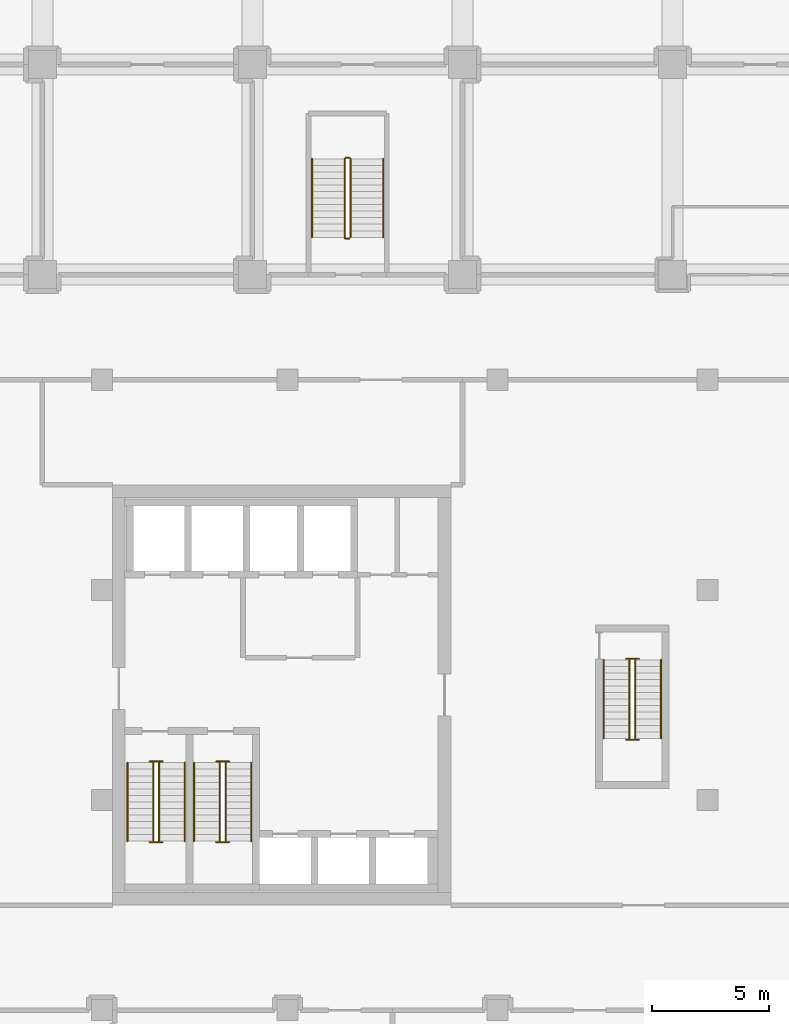
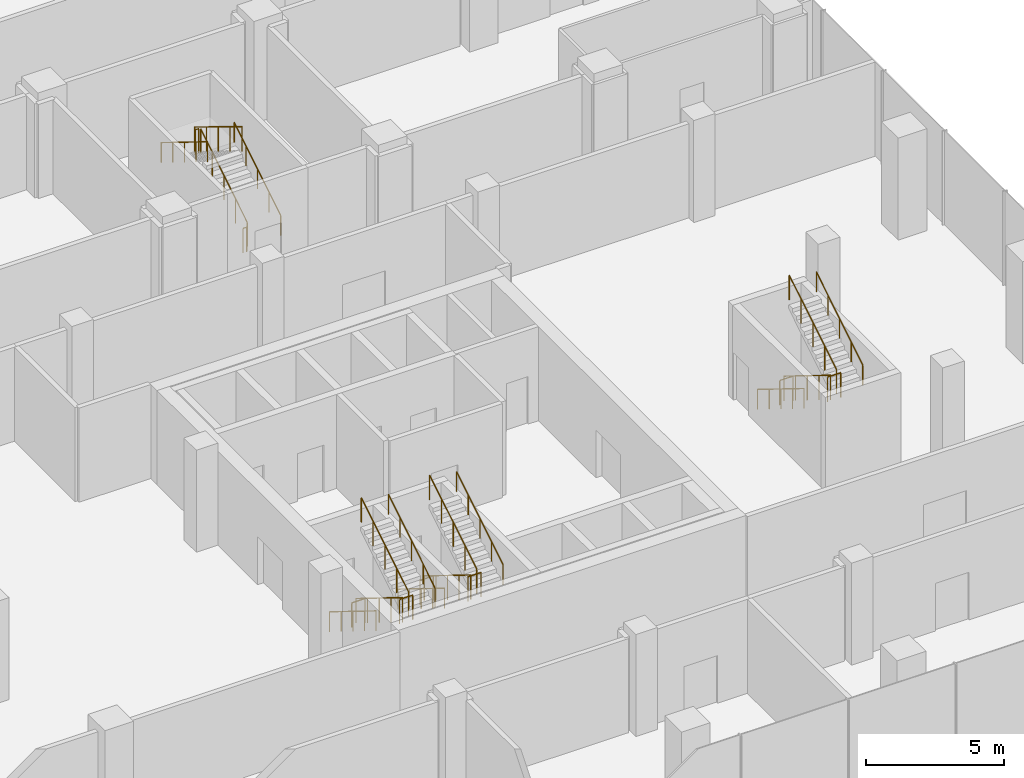
# One storey, part 42 of 43: 24 railings.
"""IFC4 building model written with IfcOpenShell, lengths in metres."""

from ifc_helpers import new_model, si_unit, direction, frame, origin, origin_2d, place, context, subcontext, project, spatial, circle, extrude, material, type_object, element, save


model = new_model("IFC4")

# Units and contexts
model_context = context("Model", 3, precision=1e-05, world=origin(), true_north=direction((0.0, 1.0)))
body_context = subcontext(model_context, "Body", "Model", "MODEL_VIEW")
ifc_project = project(units=[si_unit("LENGTHUNIT", "METRE"), si_unit("AREAUNIT", "SQUARE_METRE"), si_unit("VOLUMEUNIT", "CUBIC_METRE"), si_unit("PLANEANGLEUNIT", "RADIAN"), si_unit("MASSUNIT", "GRAM", prefix="KILO")], contexts=[model_context])

# Site, building, storey
site_placement = place(None, origin())
site = spatial("IfcSite", under=ifc_project, at=site_placement, CompositionType="ELEMENT")
building_placement = place(site_placement, origin())
building = spatial("IfcBuilding", under=site, at=building_placement, Name="Plateau Cross Towers", CompositionType="ELEMENT")
storey_placement = place(building_placement, frame((0.0, 0.0, 17.300048828125)))
storey = spatial("IfcBuildingStorey", under=building, at=storey_placement, Name="L03", CompositionType="ELEMENT", Elevation=17.300048828125)

# Railings
ifc_material_1 = material(Name="Stainless steel and toughened glass", Category="steel")
railing_type_1 = type_object("IfcRailingType", Name="RL-GUARD-1100", PredefinedType="GUARDRAIL", material=ifc_material_1)
railing_1_placement = place(storey_placement, frame((76.75, 6.10009765625, 0.173095703125)))
element("IfcRailing", 1, at=railing_1_placement, inside=storey, type_object=railing_type_1, Name="L03 SB-1 stair guard 1", PredefinedType="GUARDRAIL", context=body_context, shape_type="SweptSolid", body=[
    extrude(circle(Radius=0.02392578125, at=origin_2d()), frame((0.0, 0.0, 1.076171875), z_axis=(0.0, -0.850623216509, 0.525775754039), x_axis=(1.0, 0.0, 0.0)), (0.0, 0.0, 1.0), 3.9501953125),
    extrude(circle(Radius=0.02099609375, at=origin_2d()), origin(), (0.0, 0.0, 1.0), 1.052001953125),
    extrude(circle(Radius=0.02099609375, at=origin_2d()), frame((0.0, -0.840087890625, 0.519287109375)), (0.0, 0.0, 1.0), 1.052001953125),
    extrude(circle(Radius=0.02099609375, at=origin_2d()), frame((0.0, -1.68017578125, 1.03857421875)), (0.0, 0.0, 1.0), 1.052001953125),
    extrude(circle(Radius=0.02099609375, at=origin_2d()), frame((0.0, -2.52001953125, 1.5576171875)), (0.0, 0.0, 1.0), 1.052001953125),
    extrude(circle(Radius=0.02099609375, at=origin_2d()), frame((0.0, -3.360107421875, 2.076904296875)), (0.0, 0.0, 1.0), 1.052001953125),
])
railing_2_placement = place(storey_placement, frame((76.60009765625, 2.68994140625, 2.25)))
element("IfcRailing", 2, at=railing_2_placement, inside=storey, type_object=railing_type_1, Name="L03 SB-1 stair guard 2", PredefinedType="GUARDRAIL", context=body_context, shape_type="SweptSolid", body=[
    extrude(circle(Radius=0.02392578125, at=origin_2d()), frame((0.0, 0.0, 1.076171875), z_axis=(1.0, 0.0, 0.0), x_axis=(0.0, 1.0, 0.0)), (0.0, 0.0, 1.0), 0.5498046875),
    extrude(circle(Radius=0.02099609375, at=origin_2d()), origin(), (0.0, 0.0, 1.0), 1.052001953125),
    extrude(circle(Radius=0.02099609375, at=origin_2d()), frame((0.5498046875, 0.0, 0.0)), (0.0, 0.0, 1.0), 1.052001953125),
])
railing_3_placement = place(storey_placement, frame((77.0, 2.739990234375, 2.423095703125)))
element("IfcRailing", 3, at=railing_3_placement, inside=storey, type_object=railing_type_1, Name="L03 SB-1 stair guard 3", PredefinedType="GUARDRAIL", context=body_context, shape_type="SweptSolid", body=[
    extrude(circle(Radius=0.02392578125, at=origin_2d()), frame((0.0, 0.0, 1.076171875), z_axis=(0.0, 0.854053285388, 0.520185530092), x_axis=(-1.0, 0.0, 0.0)), (0.0, 0.0, 1.0), 3.99267578125),
    extrude(circle(Radius=0.02099609375, at=origin_2d()), origin(), (0.0, 0.0, 1.0), 1.052001953125),
    extrude(circle(Radius=0.02099609375, at=origin_2d()), frame((0.0, 0.8525390625, 0.519287109375)), (0.0, 0.0, 1.0), 1.052001953125),
    extrude(circle(Radius=0.02099609375, at=origin_2d()), frame((0.0, 1.705078125, 1.03857421875)), (0.0, 0.0, 1.0), 1.052001953125),
    extrude(circle(Radius=0.02099609375, at=origin_2d()), frame((0.0, 2.557373046875, 1.5576171875)), (0.0, 0.0, 1.0), 1.052001953125),
    extrude(circle(Radius=0.02099609375, at=origin_2d()), frame((0.0, 3.409912109375, 2.076904296875)), (0.0, 0.0, 1.0), 1.052001953125),
])
railing_4_placement = place(storey_placement, frame((76.60009765625, 6.14990234375, 0.0)))
element("IfcRailing", 4, at=railing_4_placement, inside=storey, type_object=railing_type_1, Name="L03 SB-1 stair guard 4", PredefinedType="GUARDRAIL", context=body_context, shape_type="SweptSolid", body=[
    extrude(circle(Radius=0.02392578125, at=origin_2d()), frame((0.0, 0.0, 1.076171875), z_axis=(1.0, 0.0, 0.0), x_axis=(0.0, 1.0, 0.0)), (0.0, 0.0, 1.0), 0.5498046875),
    extrude(circle(Radius=0.02099609375, at=origin_2d()), origin(), (0.0, 0.0, 1.0), 1.052001953125),
    extrude(circle(Radius=0.02099609375, at=origin_2d()), frame((0.5498046875, 0.0, 0.0)), (0.0, 0.0, 1.0), 1.052001953125),
])
railing_5_placement = place(storey_placement, frame((79.60009765625, 6.10009765625, 0.173095703125)))
element("IfcRailing", 5, at=railing_5_placement, inside=storey, type_object=railing_type_1, Name="L03 SB-2 stair guard 1", PredefinedType="GUARDRAIL", context=body_context, shape_type="SweptSolid", body=[
    extrude(circle(Radius=0.02392578125, at=origin_2d()), frame((0.0, 0.0, 1.076171875), z_axis=(0.0, -0.850623216509, 0.525775754039), x_axis=(1.0, 0.0, 0.0)), (0.0, 0.0, 1.0), 3.9501953125),
    extrude(circle(Radius=0.02099609375, at=origin_2d()), origin(), (0.0, 0.0, 1.0), 1.052001953125),
    extrude(circle(Radius=0.02099609375, at=origin_2d()), frame((0.0, -0.840087890625, 0.519287109375)), (0.0, 0.0, 1.0), 1.052001953125),
    extrude(circle(Radius=0.02099609375, at=origin_2d()), frame((0.0, -1.68017578125, 1.03857421875)), (0.0, 0.0, 1.0), 1.052001953125),
    extrude(circle(Radius=0.02099609375, at=origin_2d()), frame((0.0, -2.52001953125, 1.5576171875)), (0.0, 0.0, 1.0), 1.052001953125),
    extrude(circle(Radius=0.02099609375, at=origin_2d()), frame((0.0, -3.360107421875, 2.076904296875)), (0.0, 0.0, 1.0), 1.052001953125),
])
railing_6_placement = place(storey_placement, frame((79.449951171875, 2.68994140625, 2.25)))
element("IfcRailing", 6, at=railing_6_placement, inside=storey, type_object=railing_type_1, Name="L03 SB-2 stair guard 2", PredefinedType="GUARDRAIL", context=body_context, shape_type="SweptSolid", body=[
    extrude(circle(Radius=0.02392578125, at=origin_2d()), frame((0.0, 0.0, 1.076171875), z_axis=(1.0, 0.0, 0.0), x_axis=(0.0, 1.0, 0.0)), (0.0, 0.0, 1.0), 0.550048828125),
    extrude(circle(Radius=0.02099609375, at=origin_2d()), origin(), (0.0, 0.0, 1.0), 1.052001953125),
    extrude(circle(Radius=0.02099609375, at=origin_2d()), frame((0.550048828125, 0.0, 0.0)), (0.0, 0.0, 1.0), 1.052001953125),
])
railing_7_placement = place(storey_placement, frame((79.85009765625, 2.739990234375, 2.423095703125)))
element("IfcRailing", 7, at=railing_7_placement, inside=storey, type_object=railing_type_1, Name="L03 SB-2 stair guard 3", PredefinedType="GUARDRAIL", context=body_context, shape_type="SweptSolid", body=[
    extrude(circle(Radius=0.02392578125, at=origin_2d()), frame((0.0, 0.0, 1.076171875), z_axis=(0.0, 0.854053285388, 0.520185530092), x_axis=(-1.0, 0.0, 0.0)), (0.0, 0.0, 1.0), 3.99267578125),
    extrude(circle(Radius=0.02099609375, at=origin_2d()), origin(), (0.0, 0.0, 1.0), 1.052001953125),
    extrude(circle(Radius=0.02099609375, at=origin_2d()), frame((0.0, 0.8525390625, 0.519287109375)), (0.0, 0.0, 1.0), 1.052001953125),
    extrude(circle(Radius=0.02099609375, at=origin_2d()), frame((0.0, 1.705078125, 1.03857421875)), (0.0, 0.0, 1.0), 1.052001953125),
    extrude(circle(Radius=0.02099609375, at=origin_2d()), frame((0.0, 2.557373046875, 1.5576171875)), (0.0, 0.0, 1.0), 1.052001953125),
    extrude(circle(Radius=0.02099609375, at=origin_2d()), frame((0.0, 3.409912109375, 2.076904296875)), (0.0, 0.0, 1.0), 1.052001953125),
])
railing_8_placement = place(storey_placement, frame((79.449951171875, 6.14990234375, 0.0)))
element("IfcRailing", 8, at=railing_8_placement, inside=storey, type_object=railing_type_1, Name="L03 SB-2 stair guard 4", PredefinedType="GUARDRAIL", context=body_context, shape_type="SweptSolid", body=[
    extrude(circle(Radius=0.02392578125, at=origin_2d()), frame((0.0, 0.0, 1.076171875), z_axis=(1.0, 0.0, 0.0), x_axis=(0.0, 1.0, 0.0)), (0.0, 0.0, 1.0), 0.550048828125),
    extrude(circle(Radius=0.02099609375, at=origin_2d()), origin(), (0.0, 0.0, 1.0), 1.052001953125),
    extrude(circle(Radius=0.02099609375, at=origin_2d()), frame((0.550048828125, 0.0, 0.0)), (0.0, 0.0, 1.0), 1.052001953125),
])
railing_9_placement = place(storey_placement, frame((97.14990234375, 10.5, 0.173095703125)))
element("IfcRailing", 9, at=railing_9_placement, inside=storey, type_object=railing_type_1, Name="L03 SB-3 stair guard 1", PredefinedType="GUARDRAIL", context=body_context, shape_type="SweptSolid", body=[
    extrude(circle(Radius=0.02392578125, at=origin_2d()), frame((0.0, 0.0, 1.076171875), z_axis=(0.0, -0.850623216509, 0.525775754039), x_axis=(1.0, 0.0, 0.0)), (0.0, 0.0, 1.0), 3.9501953125),
    extrude(circle(Radius=0.02099609375, at=origin_2d()), origin(), (0.0, 0.0, 1.0), 1.052001953125),
    extrude(circle(Radius=0.02099609375, at=origin_2d()), frame((0.0, -0.840087890625, 0.519287109375)), (0.0, 0.0, 1.0), 1.052001953125),
    extrude(circle(Radius=0.02099609375, at=origin_2d()), frame((0.0, -1.68017578125, 1.03857421875)), (0.0, 0.0, 1.0), 1.052001953125),
    extrude(circle(Radius=0.02099609375, at=origin_2d()), frame((0.0, -2.52001953125, 1.5576171875)), (0.0, 0.0, 1.0), 1.052001953125),
    extrude(circle(Radius=0.02099609375, at=origin_2d()), frame((0.0, -3.360107421875, 2.076904296875)), (0.0, 0.0, 1.0), 1.052001953125),
])
railing_10_placement = place(storey_placement, frame((97.0, 7.090087890625, 2.25)))
element("IfcRailing", 10, at=railing_10_placement, inside=storey, type_object=railing_type_1, Name="L03 SB-3 stair guard 2", PredefinedType="GUARDRAIL", context=body_context, shape_type="SweptSolid", body=[
    extrude(circle(Radius=0.02392578125, at=origin_2d()), frame((0.0, 0.0, 1.076171875), z_axis=(1.0, 0.0, 0.0), x_axis=(0.0, 1.0, 0.0)), (0.0, 0.0, 1.0), 0.550048828125),
    extrude(circle(Radius=0.02099609375, at=origin_2d()), origin(), (0.0, 0.0, 1.0), 1.052001953125),
    extrude(circle(Radius=0.02099609375, at=origin_2d()), frame((0.550048828125, 0.0, 0.0)), (0.0, 0.0, 1.0), 1.052001953125),
])
railing_11_placement = place(storey_placement, frame((97.39990234375, 7.139892578125, 2.423095703125)))
element("IfcRailing", 11, at=railing_11_placement, inside=storey, type_object=railing_type_1, Name="L03 SB-3 stair guard 3", PredefinedType="GUARDRAIL", context=body_context, shape_type="SweptSolid", body=[
    extrude(circle(Radius=0.02392578125, at=origin_2d()), frame((0.0, 0.0, 1.076171875), z_axis=(0.0, 0.854069830296, 0.520158365287), x_axis=(-1.0, 0.0, 0.0)), (0.0, 0.0, 1.0), 3.992919921875),
    extrude(circle(Radius=0.02099609375, at=origin_2d()), origin(), (0.0, 0.0, 1.0), 1.052001953125),
    extrude(circle(Radius=0.02099609375, at=origin_2d()), frame((0.0, 0.8525390625, 0.519287109375)), (0.0, 0.0, 1.0), 1.052001953125),
    extrude(circle(Radius=0.02099609375, at=origin_2d()), frame((0.0, 1.705078125, 1.03857421875)), (0.0, 0.0, 1.0), 1.052001953125),
    extrude(circle(Radius=0.02099609375, at=origin_2d()), frame((0.0, 2.5576171875, 1.5576171875)), (0.0, 0.0, 1.0), 1.052001953125),
    extrude(circle(Radius=0.02099609375, at=origin_2d()), frame((0.0, 3.41015625, 2.076904296875)), (0.0, 0.0, 1.0), 1.052001953125),
])
railing_12_placement = place(storey_placement, frame((97.0, 10.550048828125, 0.0)))
element("IfcRailing", 12, at=railing_12_placement, inside=storey, type_object=railing_type_1, Name="L03 SB-3 stair guard 4", PredefinedType="GUARDRAIL", context=body_context, shape_type="SweptSolid", body=[
    extrude(circle(Radius=0.02392578125, at=origin_2d()), frame((0.0, 0.0, 1.076171875), z_axis=(1.0, 0.0, 0.0), x_axis=(0.0, 1.0, 0.0)), (0.0, 0.0, 1.0), 0.550048828125),
    extrude(circle(Radius=0.02099609375, at=origin_2d()), origin(), (0.0, 0.0, 1.0), 1.052001953125),
    extrude(circle(Radius=0.02099609375, at=origin_2d()), frame((0.550048828125, 0.0, 0.0)), (0.0, 0.0, 1.0), 1.052001953125),
])
railing_13_placement = place(storey_placement, frame((85.199951171875, 28.60009765625, 0.173095703125)))
element("IfcRailing", 13, at=railing_13_placement, inside=storey, type_object=railing_type_1, Name="L03 PS5 stair guard 1", PredefinedType="GUARDRAIL", context=body_context, shape_type="SweptSolid", body=[
    extrude(circle(Radius=0.02392578125, at=origin_2d()), frame((0.0, 0.0, 1.076171875), z_axis=(0.0, 0.850606129759, 0.525803396734), x_axis=(-1.0, 0.0, 0.0)), (0.0, 0.0, 1.0), 3.949951171875),
    extrude(circle(Radius=0.02099609375, at=origin_2d()), origin(), (0.0, 0.0, 1.0), 1.052001953125),
    extrude(circle(Radius=0.02099609375, at=origin_2d()), frame((0.0, 0.83984375, 0.519287109375)), (0.0, 0.0, 1.0), 1.052001953125),
    extrude(circle(Radius=0.02099609375, at=origin_2d()), frame((0.0, 1.679931640625, 1.03857421875)), (0.0, 0.0, 1.0), 1.052001953125),
    extrude(circle(Radius=0.02099609375, at=origin_2d()), frame((0.0, 2.52001953125, 1.5576171875)), (0.0, 0.0, 1.0), 1.052001953125),
    extrude(circle(Radius=0.02099609375, at=origin_2d()), frame((0.0, 3.35986328125, 2.076904296875)), (0.0, 0.0, 1.0), 1.052001953125),
])
railing_14_placement = place(storey_placement, frame((85.14990234375, 32.010009765625, 2.25)))
element("IfcRailing", 14, at=railing_14_placement, inside=storey, type_object=railing_type_1, Name="L03 PS5 stair guard 2", PredefinedType="GUARDRAIL", context=body_context, shape_type="SweptSolid", body=[
    extrude(circle(Radius=0.02392578125, at=origin_2d()), frame((0.0, 0.0, 1.076171875), z_axis=(-1.0, 0.0, 0.0), x_axis=(0.0, -1.0, 0.0)), (0.0, 0.0, 1.0), 0.14990234375),
    extrude(circle(Radius=0.02099609375, at=origin_2d()), origin(), (0.0, 0.0, 1.0), 1.052001953125),
    extrude(circle(Radius=0.02099609375, at=origin_2d()), frame((-0.14990234375, 0.0, 0.0)), (0.0, 0.0, 1.0), 1.052001953125),
])
railing_15_placement = place(storey_placement, frame((84.949951171875, 31.9599609375, 2.423095703125)))
element("IfcRailing", 15, at=railing_15_placement, inside=storey, type_object=railing_type_1, Name="L03 PS5 stair guard 3", PredefinedType="GUARDRAIL", context=body_context, shape_type="SweptSolid", body=[
    extrude(circle(Radius=0.02392578125, at=origin_2d()), frame((0.0, 0.0, 1.076171875), z_axis=(0.0, -0.854053285388, 0.520185530092), x_axis=(1.0, 0.0, 0.0)), (0.0, 0.0, 1.0), 3.99267578125),
    extrude(circle(Radius=0.02099609375, at=origin_2d()), origin(), (0.0, 0.0, 1.0), 1.052001953125),
    extrude(circle(Radius=0.02099609375, at=origin_2d()), frame((0.0, -0.8525390625, 0.519287109375)), (0.0, 0.0, 1.0), 1.052001953125),
    extrude(circle(Radius=0.02099609375, at=origin_2d()), frame((0.0, -1.705078125, 1.03857421875)), (0.0, 0.0, 1.0), 1.052001953125),
    extrude(circle(Radius=0.02099609375, at=origin_2d()), frame((0.0, -2.557373046875, 1.5576171875)), (0.0, 0.0, 1.0), 1.052001953125),
    extrude(circle(Radius=0.02099609375, at=origin_2d()), frame((0.0, -3.409912109375, 2.076904296875)), (0.0, 0.0, 1.0), 1.052001953125),
])
railing_16_placement = place(storey_placement, frame((85.14990234375, 28.550048828125, 0.0)))
element("IfcRailing", 16, at=railing_16_placement, inside=storey, type_object=railing_type_1, Name="L03 PS5 stair guard 4", PredefinedType="GUARDRAIL", context=body_context, shape_type="SweptSolid", body=[
    extrude(circle(Radius=0.02392578125, at=origin_2d()), frame((0.0, 0.0, 1.076171875), z_axis=(-1.0, 0.0, 0.0), x_axis=(0.0, -1.0, 0.0)), (0.0, 0.0, 1.0), 0.14990234375),
    extrude(circle(Radius=0.02099609375, at=origin_2d()), origin(), (0.0, 0.0, 1.0), 1.052001953125),
    extrude(circle(Radius=0.02099609375, at=origin_2d()), frame((-0.14990234375, 0.0, 0.0)), (0.0, 0.0, 1.0), 1.052001953125),
])
ifc_material_2 = material(Name="Black anodised aluminium", Category="aluminium")
railing_type_2 = type_object("IfcRailingType", Name="RL-HANDRAIL-900", PredefinedType="HANDRAIL", material=ifc_material_2)
railing_17_placement = place(storey_placement, frame((75.64990234375, 6.10009765625, 0.173095703125)))
element("IfcRailing", 17, at=railing_17_placement, inside=storey, type_object=railing_type_2, Name="L03 SB-1 stair handrail 1", PredefinedType="HANDRAIL", context=body_context, shape_type="SweptSolid", body=[
    extrude(circle(Radius=0.02392578125, at=origin_2d()), frame((0.0, 0.0, 0.8759765625), z_axis=(0.0, -0.850623216509, 0.525775754039), x_axis=(1.0, 0.0, 0.0)), (0.0, 0.0, 1.0), 3.9501953125),
    extrude(circle(Radius=0.02099609375, at=origin_2d()), origin(), (0.0, 0.0, 1.0), 0.851806640625),
    extrude(circle(Radius=0.02099609375, at=origin_2d()), frame((0.0, -0.840087890625, 0.519287109375)), (0.0, 0.0, 1.0), 0.851806640625),
    extrude(circle(Radius=0.02099609375, at=origin_2d()), frame((0.0, -1.68017578125, 1.03857421875)), (0.0, 0.0, 1.0), 0.851806640625),
    extrude(circle(Radius=0.02099609375, at=origin_2d()), frame((0.0, -2.52001953125, 1.5576171875)), (0.0, 0.0, 1.0), 0.851806640625),
    extrude(circle(Radius=0.02099609375, at=origin_2d()), frame((0.0, -3.360107421875, 2.076904296875)), (0.0, 0.0, 1.0), 0.851806640625),
])
railing_18_placement = place(storey_placement, frame((78.10009765625, 2.739990234375, 2.423095703125)))
element("IfcRailing", 18, at=railing_18_placement, inside=storey, type_object=railing_type_2, Name="L03 SB-1 stair handrail 2", PredefinedType="HANDRAIL", context=body_context, shape_type="SweptSolid", body=[
    extrude(circle(Radius=0.02392578125, at=origin_2d()), frame((0.0, 0.0, 0.8759765625), z_axis=(0.0, 0.850623216509, 0.525775754039), x_axis=(-1.0, 0.0, 0.0)), (0.0, 0.0, 1.0), 3.9501953125),
    extrude(circle(Radius=0.02099609375, at=origin_2d()), origin(), (0.0, 0.0, 1.0), 0.851806640625),
    extrude(circle(Radius=0.02099609375, at=origin_2d()), frame((0.0, 0.840087890625, 0.519287109375)), (0.0, 0.0, 1.0), 0.851806640625),
    extrude(circle(Radius=0.02099609375, at=origin_2d()), frame((0.0, 1.68017578125, 1.03857421875)), (0.0, 0.0, 1.0), 0.851806640625),
    extrude(circle(Radius=0.02099609375, at=origin_2d()), frame((0.0, 2.52001953125, 1.5576171875)), (0.0, 0.0, 1.0), 0.851806640625),
    extrude(circle(Radius=0.02099609375, at=origin_2d()), frame((0.0, 3.360107421875, 2.076904296875)), (0.0, 0.0, 1.0), 0.851806640625),
])
railing_19_placement = place(storey_placement, frame((78.5, 6.10009765625, 0.173095703125)))
element("IfcRailing", 19, at=railing_19_placement, inside=storey, type_object=railing_type_2, Name="L03 SB-2 stair handrail 1", PredefinedType="HANDRAIL", context=body_context, shape_type="SweptSolid", body=[
    extrude(circle(Radius=0.02392578125, at=origin_2d()), frame((0.0, 0.0, 0.8759765625), z_axis=(0.0, -0.850623216509, 0.525775754039), x_axis=(1.0, 0.0, 0.0)), (0.0, 0.0, 1.0), 3.9501953125),
    extrude(circle(Radius=0.02099609375, at=origin_2d()), origin(), (0.0, 0.0, 1.0), 0.851806640625),
    extrude(circle(Radius=0.02099609375, at=origin_2d()), frame((0.0, -0.840087890625, 0.519287109375)), (0.0, 0.0, 1.0), 0.851806640625),
    extrude(circle(Radius=0.02099609375, at=origin_2d()), frame((0.0, -1.68017578125, 1.03857421875)), (0.0, 0.0, 1.0), 0.851806640625),
    extrude(circle(Radius=0.02099609375, at=origin_2d()), frame((0.0, -2.52001953125, 1.5576171875)), (0.0, 0.0, 1.0), 0.851806640625),
    extrude(circle(Radius=0.02099609375, at=origin_2d()), frame((0.0, -3.360107421875, 2.076904296875)), (0.0, 0.0, 1.0), 0.851806640625),
])
railing_20_placement = place(storey_placement, frame((80.949951171875, 2.739990234375, 2.423095703125)))
element("IfcRailing", 20, at=railing_20_placement, inside=storey, type_object=railing_type_2, Name="L03 SB-2 stair handrail 2", PredefinedType="HANDRAIL", context=body_context, shape_type="SweptSolid", body=[
    extrude(circle(Radius=0.02392578125, at=origin_2d()), frame((0.0, 0.0, 0.8759765625), z_axis=(0.0, 0.850623216509, 0.525775754039), x_axis=(-1.0, 0.0, 0.0)), (0.0, 0.0, 1.0), 3.9501953125),
    extrude(circle(Radius=0.02099609375, at=origin_2d()), origin(), (0.0, 0.0, 1.0), 0.851806640625),
    extrude(circle(Radius=0.02099609375, at=origin_2d()), frame((0.0, 0.840087890625, 0.519287109375)), (0.0, 0.0, 1.0), 0.851806640625),
    extrude(circle(Radius=0.02099609375, at=origin_2d()), frame((0.0, 1.68017578125, 1.03857421875)), (0.0, 0.0, 1.0), 0.851806640625),
    extrude(circle(Radius=0.02099609375, at=origin_2d()), frame((0.0, 2.52001953125, 1.5576171875)), (0.0, 0.0, 1.0), 0.851806640625),
    extrude(circle(Radius=0.02099609375, at=origin_2d()), frame((0.0, 3.360107421875, 2.076904296875)), (0.0, 0.0, 1.0), 0.851806640625),
])
railing_21_placement = place(storey_placement, frame((96.050048828125, 10.5, 0.173095703125)))
element("IfcRailing", 21, at=railing_21_placement, inside=storey, type_object=railing_type_2, Name="L03 SB-3 stair handrail 1", PredefinedType="HANDRAIL", context=body_context, shape_type="SweptSolid", body=[
    extrude(circle(Radius=0.02392578125, at=origin_2d()), frame((0.0, 0.0, 0.8759765625), z_axis=(0.0, -0.850623216509, 0.525775754039), x_axis=(1.0, 0.0, 0.0)), (0.0, 0.0, 1.0), 3.9501953125),
    extrude(circle(Radius=0.02099609375, at=origin_2d()), origin(), (0.0, 0.0, 1.0), 0.851806640625),
    extrude(circle(Radius=0.02099609375, at=origin_2d()), frame((0.0, -0.840087890625, 0.519287109375)), (0.0, 0.0, 1.0), 0.851806640625),
    extrude(circle(Radius=0.02099609375, at=origin_2d()), frame((0.0, -1.68017578125, 1.03857421875)), (0.0, 0.0, 1.0), 0.851806640625),
    extrude(circle(Radius=0.02099609375, at=origin_2d()), frame((0.0, -2.52001953125, 1.5576171875)), (0.0, 0.0, 1.0), 0.851806640625),
    extrude(circle(Radius=0.02099609375, at=origin_2d()), frame((0.0, -3.360107421875, 2.076904296875)), (0.0, 0.0, 1.0), 0.851806640625),
])
railing_22_placement = place(storey_placement, frame((98.5, 7.139892578125, 2.423095703125)))
element("IfcRailing", 22, at=railing_22_placement, inside=storey, type_object=railing_type_2, Name="L03 SB-3 stair handrail 2", PredefinedType="HANDRAIL", context=body_context, shape_type="SweptSolid", body=[
    extrude(circle(Radius=0.02392578125, at=origin_2d()), frame((0.0, 0.0, 0.8759765625), z_axis=(0.0, 0.850623216509, 0.525775754039), x_axis=(-1.0, 0.0, 0.0)), (0.0, 0.0, 1.0), 3.9501953125),
    extrude(circle(Radius=0.02099609375, at=origin_2d()), origin(), (0.0, 0.0, 1.0), 0.851806640625),
    extrude(circle(Radius=0.02099609375, at=origin_2d()), frame((0.0, 0.840087890625, 0.519287109375)), (0.0, 0.0, 1.0), 0.851806640625),
    extrude(circle(Radius=0.02099609375, at=origin_2d()), frame((0.0, 1.68017578125, 1.03857421875)), (0.0, 0.0, 1.0), 0.851806640625),
    extrude(circle(Radius=0.02099609375, at=origin_2d()), frame((0.0, 2.52001953125, 1.5576171875)), (0.0, 0.0, 1.0), 0.851806640625),
    extrude(circle(Radius=0.02099609375, at=origin_2d()), frame((0.0, 3.360107421875, 2.076904296875)), (0.0, 0.0, 1.0), 0.851806640625),
])
railing_23_placement = place(storey_placement, frame((86.60009765625, 28.60009765625, 0.173095703125)))
element("IfcRailing", 23, at=railing_23_placement, inside=storey, type_object=railing_type_2, Name="L03 PS5 stair handrail 1", PredefinedType="HANDRAIL", context=body_context, shape_type="SweptSolid", body=[
    extrude(circle(Radius=0.02392578125, at=origin_2d()), frame((0.0, 0.0, 0.8759765625), z_axis=(0.0, 0.850606129759, 0.525803396734), x_axis=(-1.0, 0.0, 0.0)), (0.0, 0.0, 1.0), 3.949951171875),
    extrude(circle(Radius=0.02099609375, at=origin_2d()), origin(), (0.0, 0.0, 1.0), 0.851806640625),
    extrude(circle(Radius=0.02099609375, at=origin_2d()), frame((0.0, 0.83984375, 0.519287109375)), (0.0, 0.0, 1.0), 0.851806640625),
    extrude(circle(Radius=0.02099609375, at=origin_2d()), frame((0.0, 1.679931640625, 1.03857421875)), (0.0, 0.0, 1.0), 0.851806640625),
    extrude(circle(Radius=0.02099609375, at=origin_2d()), frame((0.0, 2.52001953125, 1.5576171875)), (0.0, 0.0, 1.0), 0.851806640625),
    extrude(circle(Radius=0.02099609375, at=origin_2d()), frame((0.0, 3.35986328125, 2.076904296875)), (0.0, 0.0, 1.0), 0.851806640625),
])
railing_24_placement = place(storey_placement, frame((83.550048828125, 31.9599609375, 2.423095703125)))
element("IfcRailing", 24, at=railing_24_placement, inside=storey, type_object=railing_type_2, Name="L03 PS5 stair handrail 2", PredefinedType="HANDRAIL", context=body_context, shape_type="SweptSolid", body=[
    extrude(circle(Radius=0.02392578125, at=origin_2d()), frame((0.0, 0.0, 0.8759765625), z_axis=(0.0, -0.850606129759, 0.525803396734), x_axis=(1.0, 0.0, 0.0)), (0.0, 0.0, 1.0), 3.949951171875),
    extrude(circle(Radius=0.02099609375, at=origin_2d()), origin(), (0.0, 0.0, 1.0), 0.851806640625),
    extrude(circle(Radius=0.02099609375, at=origin_2d()), frame((0.0, -0.83984375, 0.519287109375)), (0.0, 0.0, 1.0), 0.851806640625),
    extrude(circle(Radius=0.02099609375, at=origin_2d()), frame((0.0, -1.679931640625, 1.03857421875)), (0.0, 0.0, 1.0), 0.851806640625),
    extrude(circle(Radius=0.02099609375, at=origin_2d()), frame((0.0, -2.52001953125, 1.5576171875)), (0.0, 0.0, 1.0), 0.851806640625),
    extrude(circle(Radius=0.02099609375, at=origin_2d()), frame((0.0, -3.35986328125, 2.076904296875)), (0.0, 0.0, 1.0), 0.851806640625),
])

save(model, "model.ifc")
